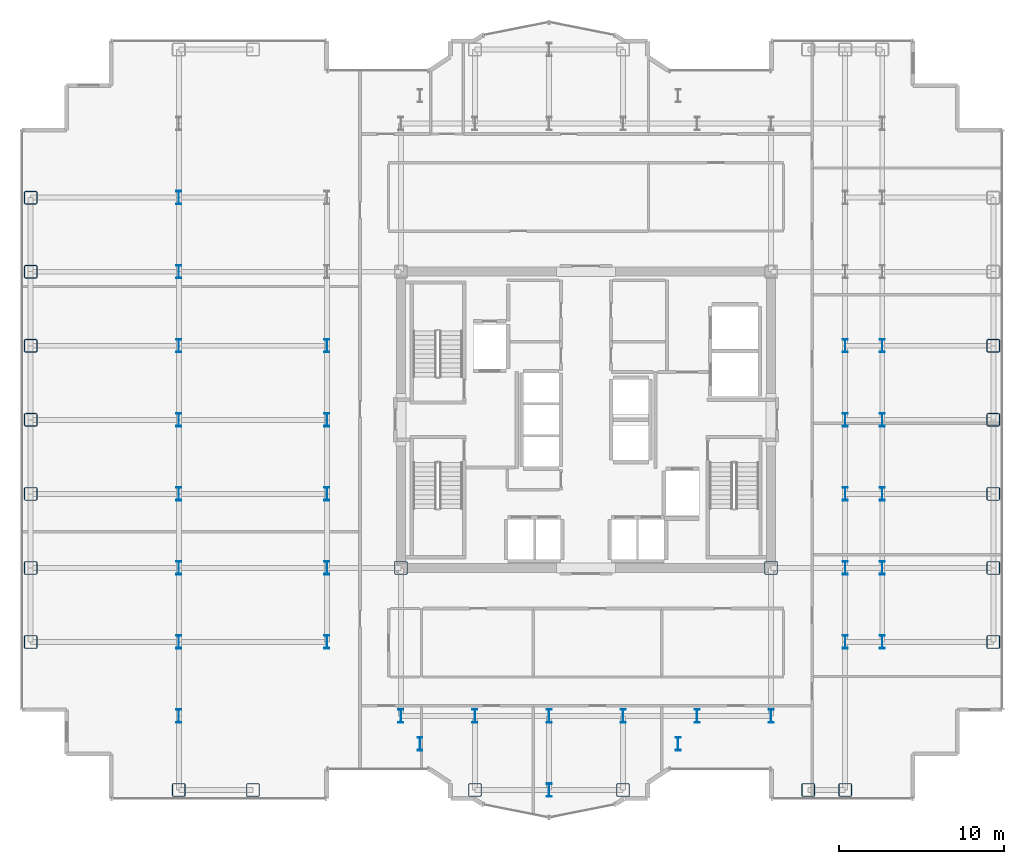
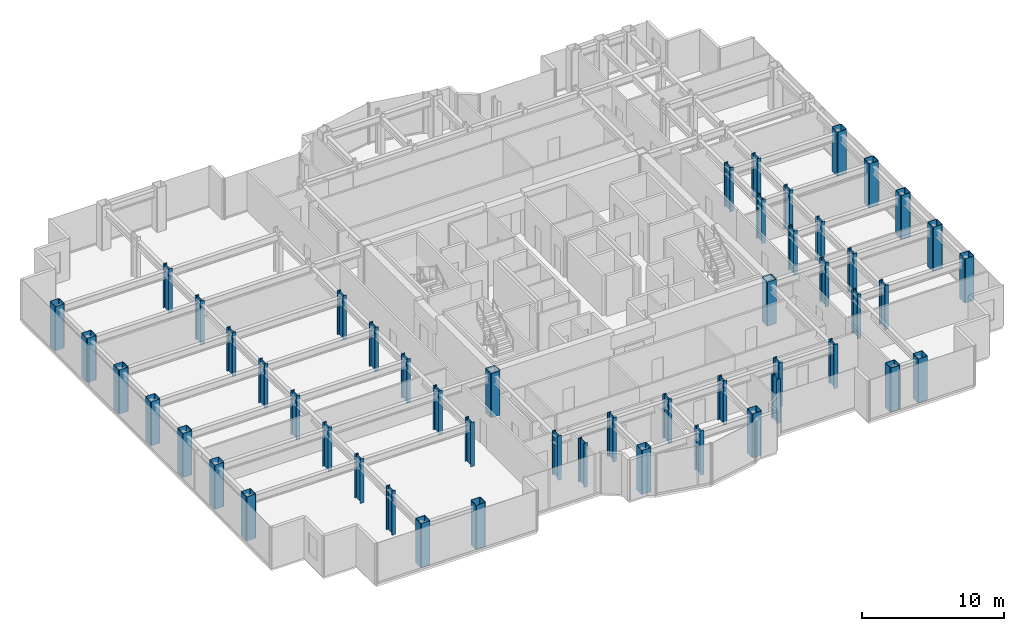
# One storey, part 1 of 23: 52 columns.
"""IFC4 building model written with IfcOpenShell, lengths in metres."""

from ifc_helpers import new_model, si_unit, direction, frame, origin, origin_2d, place, context, subcontext, project, spatial, hollow_rectangle, i_section, extrude, source, transform, mapped, material, material_profile, profile_set, type_object, element, save


model = new_model("IFC4")

# Units and contexts
model_context = context("Model", 3, precision=1e-05, world=origin(), true_north=direction((0.0, 1.0)))
body_context = subcontext(model_context, "Body", "Model", "MODEL_VIEW")
ifc_project = project(units=[si_unit("LENGTHUNIT", "METRE"), si_unit("AREAUNIT", "SQUARE_METRE"), si_unit("VOLUMEUNIT", "CUBIC_METRE"), si_unit("PLANEANGLEUNIT", "RADIAN"), si_unit("MASSUNIT", "GRAM", prefix="KILO")], contexts=[model_context])

# Site, building, storey
site_placement = place(None, origin())
site = spatial("IfcSite", under=ifc_project, at=site_placement, CompositionType="ELEMENT")
building_placement = place(site_placement, origin())
building = spatial("IfcBuilding", under=site, at=building_placement, Name="Nefas-Gora Pilgrimage Tower", CompositionType="ELEMENT")
storey_placement = place(building_placement, frame((0.0, 0.0, 198.199951171875)))
storey = spatial("IfcBuildingStorey", under=building, at=storey_placement, Name="L49", CompositionType="ELEMENT", Elevation=198.199951171875)

# Columns
ifc_material = material(Name="Steel S460", Category="steel")
ifc_material_profile_1 = material_profile(ifc_material, hollow_rectangle(XDim=0.800048828125, YDim=0.800048828125, WallThickness=0.0400390625, InnerFilletRadius=0.0400390625, OuterFilletRadius=0.080078125, at=origin_2d()), Name="BOX 800x800x40")
ifc_profile_set_1 = profile_set([ifc_material_profile_1], Name="Steel S460")
column_type_1 = type_object("IfcColumnType", Name="COL-TUBE-800", PredefinedType="COLUMN", material=ifc_profile_set_1)
shared_shape_1 = source(origin(), body_context, "Body", "SweptSolid", [
    extrude(hollow_rectangle(XDim=0.800048828125, YDim=0.800048828125, WallThickness=0.0400390625, InnerFilletRadius=0.0400390625, OuterFilletRadius=0.080078125, at=origin_2d()), origin(), (0.0, 0.0, 1.0), 3.800048828125),
])
for number, where, z_axis, x_axis, name in (
    (1, (-33.75, -13.5, 0.0), (0.0, 0.0, 1.0), (1.0, 0.0, 0.0), "L49 Tower Column C-Z2.1"),
    (2, (-33.75, -9.0, 0.0), (0.0, 0.0, 1.0), (1.0, 0.0, 0.0), "L49 Tower Column C-Z2.2"),
    (3, (-33.75, -4.5, 0.0), (0.0, 0.0, 1.0), (1.0, 0.0, 0.0), "L49 Tower Column C-Z2.3"),
    (4, (-33.75, 0.0, 0.0), (0.0, 0.0, 1.0), (1.0, 0.0, 0.0), "L49 Tower Column C-Z2.4"),
    (5, (-33.75, 4.5, 0.0), (0.0, 0.0, 1.0), (1.0, 0.0, 0.0), "L49 Tower Column C-Z2.5"),
    (6, (-33.75, 9.0, 0.0), (0.0, 0.0, 1.0), (1.0, 0.0, 0.0), "L49 Tower Column C-Z2.6"),
    (7, (-33.75, 13.5, 0.0), (0.0, 0.0, 1.0), (1.0, 0.0, 0.0), "L49 Tower Column C-Z2.7"),
    (8, (-24.75, -22.5, 0.0), (0.0, 0.0, 1.0), (1.0, 0.0, 0.0), "L49 Tower Column C-Z2.8"),
    (9, (-20.25, -22.5, 0.0), (0.0, 0.0, 1.0), (1.0, 0.0, 0.0), "L49 Tower Column C-Z2.19"),
    (10, (-6.75, -22.5, 0.0), (0.0, 0.0, 1.0), (1.0, 0.0, 0.0), "L49 Tower Column C-Z2.34"),
    (11, (2.25, -22.5, 0.0), (0.0, 0.0, 1.0), (1.0, 0.0, 0.0), "L49 Tower Column C-Z2.42"),
    (12, (13.5, -22.5, 0.0), (0.0, 0.0, 1.0), (1.0, 0.0, 0.0), "L49 Tower Column C-Z2.54"),
    (13, (15.75, -22.5, 0.0), (0.0, 0.0, 1.0), (1.0, 0.0, 0.0), "L49 Tower Column C-Z2.56"),
    (14, (24.75, -13.5, 0.0), (0.0, 0.0, 1.0), (1.0, 0.0, 0.0), "L49 Tower Column C-Z2.74"),
    (15, (24.75, -9.0, 0.0), (0.0, 0.0, 1.0), (1.0, 0.0, 0.0), "L49 Tower Column C-Z2.75"),
    (16, (24.75, -4.5, 0.0), (0.0, 0.0, 1.0), (1.0, 0.0, 0.0), "L49 Tower Column C-Z2.76"),
    (17, (24.75, 0.0, 0.0), (0.0, 0.0, 1.0), (1.0, 0.0, 0.0), "L49 Tower Column C-Z2.77"),
    (18, (24.75, 4.5, 0.0), (0.0, 0.0, 1.0), (1.0, 0.0, 0.0), "L49 Tower Column C-Z2.78"),
):
    element("IfcColumn", number, at=place(storey_placement, frame(where, z_axis=z_axis, x_axis=x_axis)), inside=storey, type_object=column_type_1, Name=name, PredefinedType="COLUMN", context=body_context, shape_type="MappedRepresentation", body=[
        mapped(shared_shape_1, transform((0.0, 0.0, 0.0), x_axis=(1.0, 0.0, 0.0), y_axis=(0.0, 1.0, 0.0), z_axis=(0.0, 0.0, 1.0), scale=1.0)),
    ])
ifc_material_profile_2 = material_profile(ifc_material, i_section(OverallWidth=0.302978515625, OverallDepth=0.81396484375, WebThickness=0.02099609375, FlangeThickness=0.0400390625, FilletRadius=0.030029296875, at=origin_2d()), Name="HEM 800")
ifc_profile_set_2 = profile_set([ifc_material_profile_2], Name="Steel S460")
column_type_2 = type_object("IfcColumnType", Name="COL-WEB-HEM800", PredefinedType="COLUMN", material=ifc_profile_set_2)
shared_shape_2 = source(origin(), body_context, "Body", "SweptSolid", [
    extrude(i_section(OverallWidth=0.302978515625, OverallDepth=0.81396484375, WebThickness=0.02099609375, FlangeThickness=0.0400390625, FilletRadius=0.030029296875, at=origin_2d()), origin(), (0.0, 0.0, 1.0), 3.800048828125),
])
for number, where, z_axis, x_axis, name in (
    (19, (-24.75, -18.0, 0.0), (0.0, 0.0, 1.0), (1.0, 0.0, 0.0), "L49 Tower Column CW-02.9"),
    (20, (-24.75, -13.5, 0.0), (0.0, 0.0, 1.0), (1.0, 0.0, 0.0), "L49 Tower Column CW-02.10"),
    (21, (-24.75, -9.0, 0.0), (0.0, 0.0, 1.0), (1.0, 0.0, 0.0), "L49 Tower Column CW-02.11"),
    (22, (-24.75, -4.5, 0.0), (0.0, 0.0, 1.0), (1.0, 0.0, 0.0), "L49 Tower Column CW-02.12"),
    (23, (-24.75, 0.0, 0.0), (0.0, 0.0, 1.0), (1.0, 0.0, 0.0), "L49 Tower Column CW-02.13"),
    (24, (-24.75, 4.5, 0.0), (0.0, 0.0, 1.0), (1.0, 0.0, 0.0), "L49 Tower Column CW-02.14"),
    (25, (-24.75, 9.0, 0.0), (0.0, 0.0, 1.0), (1.0, 0.0, 0.0), "L49 Tower Column CW-02.15"),
    (26, (-24.75, 13.5, 0.0), (0.0, 0.0, 1.0), (1.0, 0.0, 0.0), "L49 Tower Column CW-02.16"),
    (27, (-15.75, -13.5, 0.0), (0.0, 0.0, 1.0), (1.0, 0.0, 0.0), "L49 Tower Column CW-02.21"),
    (28, (-15.75, -9.0, 0.0), (0.0, 0.0, 1.0), (1.0, 0.0, 0.0), "L49 Tower Column CW-02.22"),
    (29, (-15.75, -4.5, 0.0), (0.0, 0.0, 1.0), (1.0, 0.0, 0.0), "L49 Tower Column CW-02.23"),
    (30, (-15.75, 0.0, 0.0), (0.0, 0.0, 1.0), (1.0, 0.0, 0.0), "L49 Tower Column CW-02.24"),
    (31, (-15.75, 4.5, 0.0), (0.0, 0.0, 1.0), (1.0, 0.0, 0.0), "L49 Tower Column CW-02.25"),
    (32, (-11.25, -18.0, 0.0), (0.0, 0.0, 1.0), (1.0, 0.0, 0.0), "L49 Tower Column CW-02.28"),
    (33, (-10.091064453125, -19.696044921875, 0.0), (0.0, 0.0, 1.0), (1.0, 0.0, 0.0), "L49 Tower Column CW-02.32"),
    (34, (-6.75, -18.0, 0.0), (0.0, 0.0, 1.0), (1.0, 0.0, 0.0), "L49 Tower Column CW-02.35"),
    (35, (-2.25, -22.5, 0.0), (0.0, 0.0, 1.0), (1.0, 0.0, 0.0), "L49 Tower Column CW-02.38"),
    (36, (-2.25, -18.0, 0.0), (0.0, 0.0, 1.0), (1.0, 0.0, 0.0), "L49 Tower Column CW-02.39"),
    (37, (2.25, -18.0, 0.0), (0.0, 0.0, 1.0), (1.0, 0.0, 0.0), "L49 Tower Column CW-02.43"),
    (38, (5.591064453125, -19.696044921875, 0.0), (0.0, 0.0, 1.0), (1.0, 0.0, 0.0), "L49 Tower Column CW-02.46"),
    (39, (6.75, -18.0, 0.0), (0.0, 0.0, 1.0), (1.0, 0.0, 0.0), "L49 Tower Column CW-02.48"),
    (40, (11.25, -18.0, 0.0), (0.0, 0.0, 1.0), (1.0, 0.0, 0.0), "L49 Tower Column CW-02.50"),
    (41, (15.75, -13.5, 0.0), (0.0, 0.0, 1.0), (1.0, 0.0, 0.0), "L49 Tower Column CW-02.57"),
    (42, (15.75, -9.0, 0.0), (0.0, 0.0, 1.0), (1.0, 0.0, 0.0), "L49 Tower Column CW-02.58"),
    (43, (15.75, -4.5, 0.0), (0.0, 0.0, 1.0), (1.0, 0.0, 0.0), "L49 Tower Column CW-02.59"),
    (44, (15.75, 0.0, 0.0), (0.0, 0.0, 1.0), (1.0, 0.0, 0.0), "L49 Tower Column CW-02.60"),
    (45, (15.75, 4.5, 0.0), (0.0, 0.0, 1.0), (1.0, 0.0, 0.0), "L49 Tower Column CW-02.61"),
    (46, (18.0, -13.5, 0.0), (0.0, 0.0, 1.0), (1.0, 0.0, 0.0), "L49 Tower Column CW-02.65"),
    (47, (18.0, -9.0, 0.0), (0.0, 0.0, 1.0), (1.0, 0.0, 0.0), "L49 Tower Column CW-02.66"),
    (48, (18.0, -4.5, 0.0), (0.0, 0.0, 1.0), (1.0, 0.0, 0.0), "L49 Tower Column CW-02.67"),
    (49, (18.0, 0.0, 0.0), (0.0, 0.0, 1.0), (1.0, 0.0, 0.0), "L49 Tower Column CW-02.68"),
    (50, (18.0, 4.5, 0.0), (0.0, 0.0, 1.0), (1.0, 0.0, 0.0), "L49 Tower Column CW-02.69"),
):
    element("IfcColumn", number, at=place(storey_placement, frame(where, z_axis=z_axis, x_axis=x_axis)), inside=storey, type_object=column_type_2, Name=name, PredefinedType="COLUMN", context=body_context, shape_type="MappedRepresentation", body=[
        mapped(shared_shape_2, transform((0.0, 0.0, 0.0), x_axis=(1.0, 0.0, 0.0), y_axis=(0.0, 1.0, 0.0), z_axis=(0.0, 0.0, 1.0), scale=1.0)),
    ])
ifc_material_profile_3 = material_profile(ifc_material, hollow_rectangle(XDim=0.800048828125, YDim=0.800048828125, WallThickness=0.0400390625, InnerFilletRadius=0.0400390625, OuterFilletRadius=0.080078125, at=origin_2d()), Name="BOX 800x800x40")
ifc_profile_set_3 = profile_set([ifc_material_profile_3], Name="Steel S460")
column_type_3 = type_object("IfcColumnType", Name="COL-CORE-800", PredefinedType="COLUMN", material=ifc_profile_set_3)
shared_shape_3 = source(origin(), body_context, "Body", "SweptSolid", [
    extrude(hollow_rectangle(XDim=0.800048828125, YDim=0.800048828125, WallThickness=0.0400390625, InnerFilletRadius=0.0400390625, OuterFilletRadius=0.080078125, at=origin_2d()), origin(), (0.0, 0.0, 1.0), 3.800048828125),
])
for number, where, z_axis, x_axis, name in (
    (51, (-11.25, -9.0, 0.0), (0.0, 0.0, 1.0), (1.0, 0.0, 0.0), "L49 Tower Column CC-Z2.29"),
    (52, (11.25, -9.0, 0.0), (0.0, 0.0, 1.0), (1.0, 0.0, 0.0), "L49 Tower Column CC-Z2.51"),
):
    element("IfcColumn", number, at=place(storey_placement, frame(where, z_axis=z_axis, x_axis=x_axis)), inside=storey, type_object=column_type_3, Name=name, PredefinedType="COLUMN", context=body_context, shape_type="MappedRepresentation", body=[
        mapped(shared_shape_3, transform((0.0, 0.0, 0.0), x_axis=(1.0, 0.0, 0.0), y_axis=(0.0, 1.0, 0.0), z_axis=(0.0, 0.0, 1.0), scale=1.0)),
    ])

save(model, "model.ifc")
